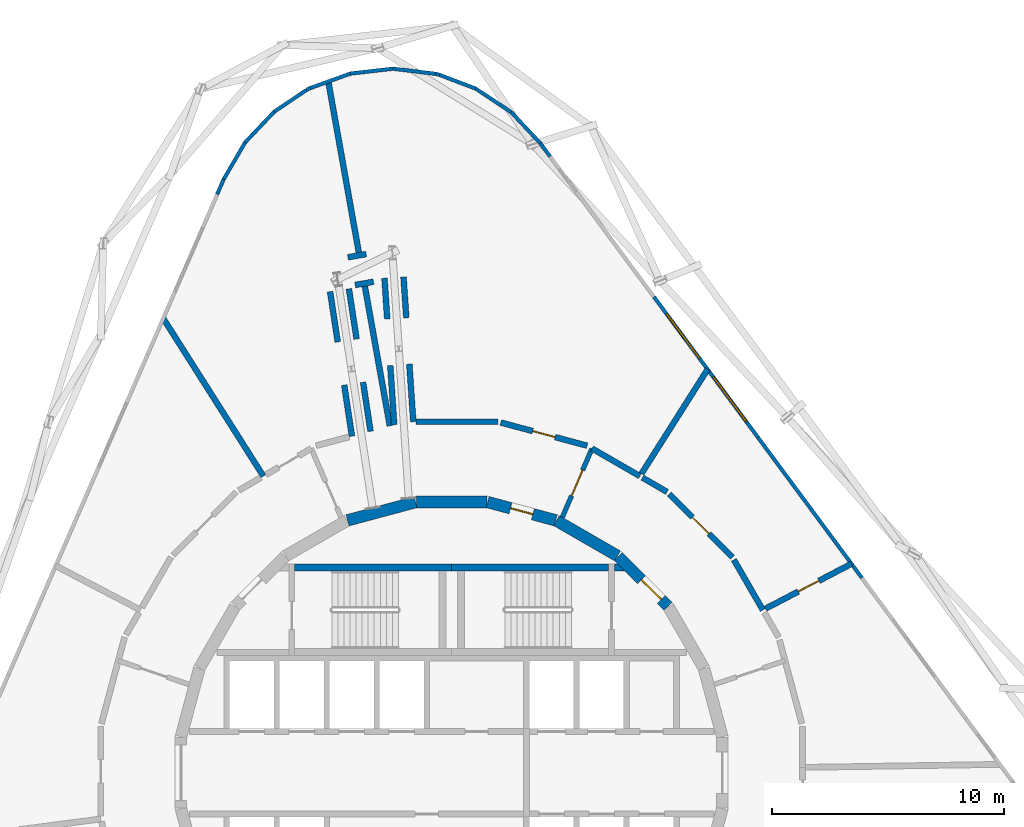
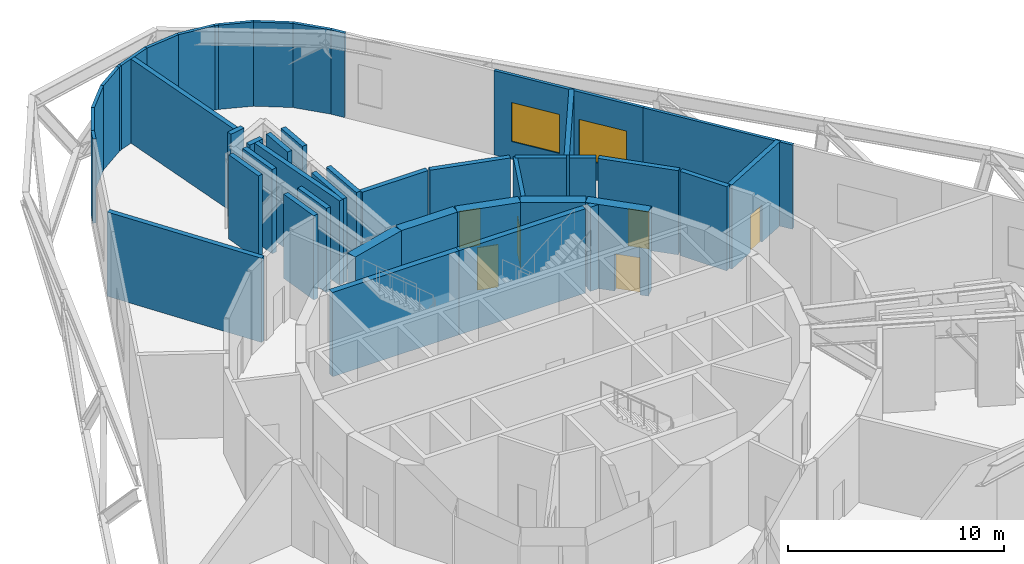
# One storey, part 9 of 11: 45 walls, 6 doors, 2 windows, 8 openings.
"""IFC4 building model written with IfcOpenShell, lengths in metres."""

from ifc_helpers import new_model, si_unit, direction, frame, frame_2d, origin, place, context, subcontext, project, spatial, polyline, rectangle, outline, extrude, material, layer, layer_set, type_object, element, fill, save


model = new_model("IFC4")

# Units and contexts
model_context = context("Model", 3, precision=1e-05, world=origin(), true_north=direction((0.0, 1.0)))
body_context = subcontext(model_context, "Body", "Model", "MODEL_VIEW")
ifc_project = project(units=[si_unit("LENGTHUNIT", "METRE"), si_unit("AREAUNIT", "SQUARE_METRE"), si_unit("VOLUMEUNIT", "CUBIC_METRE"), si_unit("PLANEANGLEUNIT", "RADIAN"), si_unit("MASSUNIT", "GRAM", prefix="KILO")], contexts=[model_context])

# Site, building, storey
site_placement = place(None, origin())
site = spatial("IfcSite", under=ifc_project, at=site_placement, CompositionType="ELEMENT")
building_placement = place(site_placement, origin())
building = spatial("IfcBuilding", under=site, at=building_placement, Name="Spindle Arch Residences", CompositionType="ELEMENT")
storey_placement = place(building_placement, frame((0.0, 0.0, 108.199951171875)))
storey = spatial("IfcBuildingStorey", under=building, at=storey_placement, Name="L26", CompositionType="ELEMENT", Elevation=108.199951171875)

# Wall, opening, door
ifc_material_1 = material(Name="Concrete C50/60", Category="concrete")
ifc_layer_1 = layer(ifc_material_1, 0.5)
ifc_layer_set_1 = layer_set([ifc_layer_1], Name="Core outline wall 500")
wall_type_1 = type_object("IfcWallType", Name="Core outline wall 500", PredefinedType="SHEAR", material=ifc_layer_set_1)
wall_1_placement = place(storey_placement, frame((9.30810546875, 7.163818359375, 0.0), z_axis=(0.0, 0.0, 1.0), x_axis=(-0.707106781187, 0.707106781187, 0.0)))
wall_1 = element("IfcWall", 1, at=wall_1_placement, inside=storey, type_object=wall_type_1, Name="Core outline wall 9", PredefinedType="SHEAR", context=body_context, shape_type="SweptSolid", body=[
    extrude(rectangle(XDim=3.032470703125, YDim=0.5, at=frame_2d((1.51611328125, 0.0))), origin(), (0.0, 0.0, 1.0), 4.75),
])
opening_1_placement = place(wall_1_placement, frame((0.416259765625, 0.0, 0.0)))
opening_1 = element("IfcOpeningElement", 2, at=opening_1_placement, cuts=wall_1, Name="Opening L26-AD01", PredefinedType="OPENING", context=body_context, shape_type="SweptSolid", body=[
    extrude(rectangle(XDim=1.199951171875, YDim=2.10009765625, at=frame_2d((0.60009765625, 1.050048828125))), frame((0.0, 0.260009765625, 0.0), z_axis=(0.0, -1.0, 0.0), x_axis=(1.0, 0.0, 0.0)), (0.0, 0.0, 1.0), 0.52001953125),
])
ifc_material_2 = material(Name="Steel, fire-resisting door", Category="steel")
door_type_1 = type_object("IfcDoorType", Name="Stair airlock door 1200x2100", OperationType="SINGLE_SWING_LEFT", PredefinedType="DOOR", material=ifc_material_2)
door_1_placement = place(opening_1_placement, origin())
door_1 = element("IfcDoor", 3, at=door_1_placement, inside=storey, type_object=door_type_1, Name="Stair airlock door L26-AD01", OperationType="SINGLE_SWING_RIGHT", OverallHeight=2.10009765625, OverallWidth=1.199951171875, PredefinedType="DOOR", context=body_context, shape_type="SweptSolid", body=[
    extrude(rectangle(XDim=1.199951171875, YDim=2.10009765625, at=frame_2d((0.60009765625, 1.050048828125))), frame((0.0, 0.02490234375, 0.0), z_axis=(0.0, -1.0, 0.0), x_axis=(1.0, 0.0, 0.0)), (0.0, 0.0, 1.0), 0.050048828125),
])
fill(opening_1, door_1)

# Wall
wall_2_placement = place(storey_placement, frame((7.13671875, 9.32861328125, 0.0), z_axis=(0.0, 0.0, 1.0), x_axis=(-0.865975092491, 0.500087131594, 0.0)))
element("IfcWall", 4, at=wall_2_placement, inside=storey, type_object=wall_type_1, Name="Core outline wall 10", PredefinedType="SHEAR", context=body_context, shape_type="SweptSolid", body=[
    extrude(rectangle(XDim=3.03271484375, YDim=0.5, at=frame_2d((1.516357421875, 0.0))), origin(), (0.0, 0.0, 1.0), 4.75),
])

# Wall, opening, door
wall_3_placement = place(storey_placement, frame((4.479248046875, 10.858154296875, 0.0), z_axis=(0.0, 0.0, 1.0), x_axis=(-0.965948410781, 0.258734743916, 0.0)))
wall_3 = element("IfcWall", 5, at=wall_3_placement, inside=storey, type_object=wall_type_1, Name="Core outline wall 11", PredefinedType="SHEAR", context=body_context, shape_type="SweptSolid", body=[
    extrude(rectangle(XDim=3.03271484375, YDim=0.5, at=frame_2d((1.516357421875, 0.0))), origin(), (0.0, 0.0, 1.0), 4.75),
])
opening_2_placement = place(wall_3_placement, frame((1.01611328125, 0.0, 0.0)))
opening_2 = element("IfcOpeningElement", 6, at=opening_2_placement, cuts=wall_3, Name="Opening L26-PD09", PredefinedType="OPENING", context=body_context, shape_type="SweptSolid", body=[
    extrude(rectangle(XDim=1.0, YDim=2.39990234375, at=frame_2d((0.5, 1.199951171875))), frame((0.0, 0.260009765625, 0.0), z_axis=(0.0, -1.0, 0.0), x_axis=(1.0, 0.0, 0.0)), (0.0, 0.0, 1.0), 0.52001953125),
])
ifc_material_3 = material(Name="Steel, fire-resisting door", Category="steel")
door_type_2 = type_object("IfcDoorType", Name="Plant room door 1000x2400", OperationType="SINGLE_SWING_LEFT", PredefinedType="DOOR", material=ifc_material_3)
door_2_placement = place(opening_2_placement, origin())
door_2 = element("IfcDoor", 7, at=door_2_placement, inside=storey, type_object=door_type_2, Name="Plant room door L26-PD09", OperationType="SINGLE_SWING_RIGHT", OverallHeight=2.39990234375, OverallWidth=1.0, PredefinedType="DOOR", context=body_context, shape_type="SweptSolid", body=[
    extrude(rectangle(XDim=1.0, YDim=2.39990234375, at=frame_2d((0.5, 1.199951171875))), frame((0.0, 0.02490234375, 0.0), z_axis=(0.0, -1.0, 0.0), x_axis=(1.0, 0.0, 0.0)), (0.0, 0.0, 1.0), 0.050048828125),
])
fill(opening_2, door_2)

# Walls
for number, where, z_axis, x_axis, name in (
    (8, (1.516357421875, 11.647216796875, 0.0), (0.0, 0.0, 1.0), (-1.0, 0.0, 0.0), "Core outline wall 12"),
    (9, (-1.5498046875, 11.642822265625, 0.0), (0.0, 0.0, 1.0), (-0.965948410781, -0.258734743916, 0.0), "Core outline wall 13"),
):
    element("IfcWall", number, at=place(storey_placement, frame(where, z_axis=z_axis, x_axis=x_axis)), inside=storey, type_object=wall_type_1, Name=name, PredefinedType="SHEAR", context=body_context, shape_type="SweptSolid", body=[
        extrude(rectangle(XDim=3.03271484375, YDim=0.5, at=frame_2d((1.516357421875, 0.0))), origin(), (0.0, 0.0, 1.0), 4.75),
    ])
ifc_material_4 = material(Name="Non-combustible mineral wool insulated aluminium faced external wall (K0)", Category="aluminium")
ifc_layer_2 = layer(ifc_material_4, 0.159912109375)
ifc_layer_set_2 = layer_set([ifc_layer_2], Name="Insulated external wall panel 160")
wall_type_2 = type_object("IfcWallType", Name="Insulated external wall panel 160", PredefinedType="STANDARD", material=ifc_layer_set_2)
wall_4_placement = place(storey_placement, frame((17.652099609375, 8.38525390625, 0.0), z_axis=(0.0, 0.0, 1.0), x_axis=(-0.594833773541, 0.803848730704, 0.0)))
element("IfcWall", 10, at=wall_4_placement, inside=storey, type_object=wall_type_2, Name="Plant wall L26 bay 8", PredefinedType="STANDARD", context=body_context, shape_type="SweptSolid", body=[
    extrude(rectangle(XDim=7.518798828125, YDim=0.159912109375, at=frame_2d((3.75927734375, 0.0))), origin(), (0.0, 0.0, 1.0), 4.75),
])

# Wall, openings, windows
wall_5_placement = place(storey_placement, frame((13.1796875, 14.42919921875, 0.0), z_axis=(0.0, 0.0, 1.0), x_axis=(-0.594797265235, 0.803875744919, 0.0)))
wall_5 = element("IfcWall", 11, at=wall_5_placement, inside=storey, type_object=wall_type_2, Name="Plant wall L26 bay 9", PredefinedType="STANDARD", context=body_context, shape_type="SweptSolid", body=[
    extrude(rectangle(XDim=7.518798828125, YDim=0.159912109375, at=frame_2d((3.75927734375, 0.0))), origin(), (0.0, 0.0, 1.0), 4.75),
])
opening_3_placement = place(wall_5_placement, frame((0.8349609375, 0.0, 1.0)))
opening_3 = element("IfcOpeningElement", 12, at=opening_3_placement, cuts=wall_5, Name="Opening LW2", PredefinedType="OPENING", context=body_context, shape_type="SweptSolid", body=[
    extrude(rectangle(XDim=2.39990234375, YDim=2.199951171875, at=frame_2d((1.199951171875, 1.10009765625))), frame((0.0, 0.08984375, 0.0), z_axis=(0.0, -1.0, 0.0), x_axis=(1.0, 0.0, 0.0)), (0.0, 0.0, 1.0), 0.179931640625),
])
opening_4_placement = place(wall_5_placement, frame((4.219482421875, 0.0, 1.0)))
opening_4 = element("IfcOpeningElement", 13, at=opening_4_placement, cuts=wall_5, Name="Opening LW2", PredefinedType="OPENING", context=body_context, shape_type="SweptSolid", body=[
    extrude(rectangle(XDim=2.39990234375, YDim=2.199951171875, at=frame_2d((1.199951171875, 1.10009765625))), frame((0.0, 0.08984375, 0.0), z_axis=(0.0, -1.0, 0.0), x_axis=(1.0, 0.0, 0.0)), (0.0, 0.0, 1.0), 0.179931640625),
])
ifc_material_5 = material(Name="Bronze anodised aluminium fixed louvre", Category="aluminium")
window_type = type_object("IfcWindowType", Name="Plant louvre opening 2400x2200", PartitioningType="SINGLE_PANEL", PredefinedType="WINDOW", material=ifc_material_5)
window_1_placement = place(opening_3_placement, origin())
window_1 = element("IfcWindow", 14, at=window_1_placement, inside=storey, type_object=window_type, Name="Louvre opening L26 bay 9.1", OverallHeight=2.199951171875, OverallWidth=2.39990234375, PartitioningType="SINGLE_PANEL", PredefinedType="WINDOW", context=body_context, shape_type="SweptSolid", body=[
    extrude(rectangle(XDim=2.39990234375, YDim=2.199951171875, at=frame_2d((1.199951171875, 1.10009765625))), frame((0.0, 0.030029296875, 0.0), z_axis=(0.0, -1.0, 0.0), x_axis=(1.0, 0.0, 0.0)), (0.0, 0.0, 1.0), 0.06005859375),
])
fill(opening_3, window_1)
window_2_placement = place(opening_4_placement, origin())
window_2 = element("IfcWindow", 15, at=window_2_placement, inside=storey, type_object=window_type, Name="Louvre opening L26 bay 9.2", OverallHeight=2.199951171875, OverallWidth=2.39990234375, PartitioningType="SINGLE_PANEL", PredefinedType="WINDOW", context=body_context, shape_type="SweptSolid", body=[
    extrude(rectangle(XDim=2.39990234375, YDim=2.199951171875, at=frame_2d((1.199951171875, 1.10009765625))), frame((0.0, 0.030029296875, 0.0), z_axis=(0.0, -1.0, 0.0), x_axis=(1.0, 0.0, 0.0)), (0.0, 0.0, 1.0), 0.06005859375),
])
fill(opening_4, window_2)

# Walls
wall_6_placement = place(storey_placement, frame((4.235107421875, 26.517333984375, 0.0), z_axis=(0.0, 0.0, 1.0), x_axis=(-0.594771293471, 0.803894961088, 0.0)))
element("IfcWall", 16, at=wall_6_placement, inside=storey, type_object=wall_type_2, Name="Plant wall L26 bay 11.1", PredefinedType="STANDARD", context=body_context, shape_type="SweptSolid", body=[
    extrude(rectangle(XDim=0.703857421875, YDim=0.159912109375, at=frame_2d((0.35205078125, 0.0))), origin(), (0.0, 0.0, 1.0), 4.75),
])
wall_7_placement = place(storey_placement, frame((3.8193359375, 27.07958984375, 0.0), z_axis=(0.0, 0.0, 1.0), x_axis=(-0.684130270413, 0.729359837875, 0.0)))
element("IfcWall", 17, at=wall_7_placement, inside=storey, type_object=wall_type_2, Name="Plant wall L26 bay 11.2", PredefinedType="STANDARD", context=body_context, shape_type="SweptSolid", body=[
    extrude(rectangle(XDim=1.845947265625, YDim=0.159912109375, at=frame_2d((0.9228515625, 0.0))), origin(), (0.0, 0.0, 1.0), 4.75),
])
wall_8_placement = place(storey_placement, frame((2.563720703125, 28.419921875, 0.0), z_axis=(0.0, 0.0, 1.0), x_axis=(-0.833874978311, 0.55195336809, 0.0)))
element("IfcWall", 18, at=wall_8_placement, inside=storey, type_object=wall_type_2, Name="Plant wall L26 bay 11.3", PredefinedType="STANDARD", context=body_context, shape_type="SweptSolid", body=[
    extrude(rectangle(XDim=1.847900390625, YDim=0.159912109375, at=frame_2d((0.923828125, 0.0))), origin(), (0.0, 0.0, 1.0), 4.75),
])
wall_9_placement = place(storey_placement, frame((1.030517578125, 29.435791015625, 0.0), z_axis=(0.0, 0.0, 1.0), x_axis=(-0.934627342033, 0.355628642723, 0.0)))
element("IfcWall", 19, at=wall_9_placement, inside=storey, type_object=wall_type_2, Name="Plant wall L26 bay 11.4", PredefinedType="STANDARD", context=body_context, shape_type="SweptSolid", body=[
    extrude(rectangle(XDim=1.661376953125, YDim=0.159912109375, at=frame_2d((0.83056640625, 0.0))), origin(), (0.0, 0.0, 1.0), 4.75),
])
wall_10_placement = place(storey_placement, frame((-0.522216796875, 30.026611328125, 0.0), z_axis=(0.0, 0.0, 1.0), x_axis=(-0.969676988372, 0.244390135281, 0.0)))
element("IfcWall", 20, at=wall_10_placement, inside=storey, type_object=wall_type_2, Name="Plant wall L26 bay 12.1", PredefinedType="STANDARD", context=body_context, shape_type="SweptSolid", body=[
    extrude(rectangle(XDim=0.185791015625, YDim=0.159912109375, at=frame_2d((0.0927734375, 0.0))), origin(), (0.0, 0.0, 1.0), 4.75),
])
wall_11_placement = place(storey_placement, frame((-0.697265625, 30.0712890625, 0.0), z_axis=(0.0, 0.0, 1.0), x_axis=(-0.992909337367, 0.118874083672, 0.0)))
element("IfcWall", 21, at=wall_11_placement, inside=storey, type_object=wall_type_2, Name="Plant wall L26 bay 12.2", PredefinedType="STANDARD", context=body_context, shape_type="SweptSolid", body=[
    extrude(rectangle(XDim=1.846435546875, YDim=0.159912109375, at=frame_2d((0.92333984375, 0.0))), origin(), (0.0, 0.0, 1.0), 4.75),
])
wall_12_placement = place(storey_placement, frame((-2.52099609375, 30.290771484375, 0.0), z_axis=(0.0, 0.0, 1.0), x_axis=(-0.99357220697, -0.113200130467, 0.0)))
element("IfcWall", 22, at=wall_12_placement, inside=storey, type_object=wall_type_2, Name="Plant wall L26 bay 12.3", PredefinedType="STANDARD", context=body_context, shape_type="SweptSolid", body=[
    extrude(rectangle(XDim=1.848388671875, YDim=0.159912109375, at=frame_2d((0.92431640625, 0.0))), origin(), (0.0, 0.0, 1.0), 4.75),
])
wall_13_placement = place(storey_placement, frame((-4.348388671875, 30.083740234375, 0.0), z_axis=(0.0, 0.0, 1.0), x_axis=(-0.940678213267, -0.339300013388, 0.0)))
element("IfcWall", 23, at=wall_13_placement, inside=storey, type_object=wall_type_2, Name="Plant wall L26 bay 12.4", PredefinedType="STANDARD", context=body_context, shape_type="SweptSolid", body=[
    extrude(rectangle(XDim=1.846435546875, YDim=0.159912109375, at=frame_2d((0.92333984375, 0.0))), origin(), (0.0, 0.0, 1.0), 4.75),
])
wall_14_placement = place(storey_placement, frame((-6.080322265625, 29.45947265625, 0.0), z_axis=(0.0, 0.0, 1.0), x_axis=(-0.889653469116, -0.456636293882, 0.0)))
element("IfcWall", 24, at=wall_14_placement, inside=storey, type_object=wall_type_2, Name="Plant wall L26 bay 12.5", PredefinedType="STANDARD", context=body_context, shape_type="SweptSolid", body=[
    extrude(rectangle(XDim=0.18603515625, YDim=0.159912109375, at=frame_2d((0.093017578125, 0.0))), origin(), (0.0, 0.0, 1.0), 4.75),
])
wall_15_placement = place(storey_placement, frame((-6.245849609375, 29.37451171875, 0.0), z_axis=(0.0, 0.0, 1.0), x_axis=(-0.830691132327, -0.556733547285, 0.0)))
element("IfcWall", 25, at=wall_15_placement, inside=storey, type_object=wall_type_2, Name="Plant wall L26 bay 13.1", PredefinedType="STANDARD", context=body_context, shape_type="SweptSolid", body=[
    extrude(rectangle(XDim=1.6611328125, YDim=0.159912109375, at=frame_2d((0.83056640625, 0.0))), origin(), (0.0, 0.0, 1.0), 4.75),
])
wall_16_placement = place(storey_placement, frame((-7.618896484375, 28.455322265625, 0.0), z_axis=(0.0, 0.0, 1.0), x_axis=(-0.688436911681, -0.725296228196, 0.0)))
element("IfcWall", 26, at=wall_16_placement, inside=storey, type_object=wall_type_2, Name="Plant wall L26 bay 13.2", PredefinedType="STANDARD", context=body_context, shape_type="SweptSolid", body=[
    extrude(rectangle(XDim=1.847900390625, YDim=0.159912109375, at=frame_2d((0.923828125, 0.0))), origin(), (0.0, 0.0, 1.0), 4.75),
])
wall_17_placement = place(storey_placement, frame((-8.885498046875, 27.122314453125, 0.0), z_axis=(0.0, 0.0, 1.0), x_axis=(-0.502464129555, -0.864598056041, 0.0)))
element("IfcWall", 27, at=wall_17_placement, inside=storey, type_object=wall_type_2, Name="Plant wall L26 bay 13.3", PredefinedType="STANDARD", context=body_context, shape_type="SweptSolid", body=[
    extrude(rectangle(XDim=1.845947265625, YDim=0.159912109375, at=frame_2d((0.9228515625, 0.0))), origin(), (0.0, 0.0, 1.0), 4.75),
])
wall_18_placement = place(storey_placement, frame((-9.81103515625, 25.530517578125, 0.0), z_axis=(0.0, 0.0, 1.0), x_axis=(-0.398561214502, -0.917141732937, 0.0)))
element("IfcWall", 28, at=wall_18_placement, inside=storey, type_object=wall_type_2, Name="Plant wall L26 bay 13.4", PredefinedType="STANDARD", context=body_context, shape_type="SweptSolid", body=[
    extrude(rectangle(XDim=0.703857421875, YDim=0.159912109375, at=frame_2d((0.35205078125, 0.0))), origin(), (0.0, 0.0, 1.0), 4.75),
])
ifc_material_6 = material(Name="Concrete C25/30 wall", Category="concrete")
ifc_layer_3 = layer(ifc_material_6, 0.25)
ifc_layer_set_3 = layer_set([ifc_layer_3], Name="Partition EI 120 250 plant")
wall_type_3 = type_object("IfcWallType", Name="Partition EI 120 250 plant", PredefinedType="PARTITIONING", material=ifc_layer_set_3)
wall_19_placement = place(storey_placement, frame((-5.22998046875, 20.699951171875, 0.0), z_axis=(0.0, 0.0, 1.0), x_axis=(0.150385276272, -0.988627467088, 0.0)))
element("IfcWall", 29, at=wall_19_placement, inside=storey, type_object=wall_type_3, Name="L26-W030", PredefinedType="PARTITIONING", context=body_context, shape_type="SweptSolid", body=[
    extrude(rectangle(XDim=2.19482421875, YDim=0.25, at=frame_2d((1.097412109375, 0.0))), origin(), (0.0, 0.0, 1.0), 4.75),
])
wall_20_placement = place(storey_placement, frame((-4.6201171875, 16.679931640625, 0.0), z_axis=(0.0, 0.0, 1.0), x_axis=(0.148378019052, -0.98893071722, 0.0)))
element("IfcWall", 30, at=wall_20_placement, inside=storey, type_object=wall_type_3, Name="L26-W033", PredefinedType="PARTITIONING", context=body_context, shape_type="SweptSolid", body=[
    extrude(rectangle(XDim=2.224609375, YDim=0.25, at=frame_2d((1.1123046875, 0.0))), origin(), (0.0, 0.0, 1.0), 4.75),
])
wall_21_placement = place(storey_placement, frame((-4.090087890625, 18.659912109375, 0.0), z_axis=(0.0, 0.0, 1.0), x_axis=(-0.150940482968, 0.988542852183, 0.0)))
element("IfcWall", 31, at=wall_21_placement, inside=storey, type_object=wall_type_3, Name="L26-W035", PredefinedType="PARTITIONING", context=body_context, shape_type="SweptSolid", body=[
    extrude(rectangle(XDim=2.185302734375, YDim=0.25, at=frame_2d((1.0927734375, 0.0))), origin(), (0.0, 0.0, 1.0), 4.75),
])
wall_22_placement = place(storey_placement, frame((-3.489990234375, 14.68994140625, 0.0), z_axis=(0.0, 0.0, 1.0), x_axis=(-0.149968031865, 0.98869084623, 0.0)))
element("IfcWall", 32, at=wall_22_placement, inside=storey, type_object=wall_type_3, Name="L26-W037", PredefinedType="PARTITIONING", context=body_context, shape_type="SweptSolid", body=[
    extrude(rectangle(XDim=2.13427734375, YDim=0.25, at=frame_2d((1.067138671875, 0.0))), origin(), (0.0, 0.0, 1.0), 4.75),
])
ifc_material_7 = material(Name="Concrete C25/30 wall", Category="concrete")
ifc_layer_4 = layer(ifc_material_7, 0.25)
ifc_layer_set_4 = layer_set([ifc_layer_4], Name="Partition EI 150 250 electrical")
wall_type_4 = type_object("IfcWallType", Name="Partition EI 150 250 electrical", PredefinedType="PARTITIONING", material=ifc_layer_set_4)
wall_23_placement = place(storey_placement, frame((-3.993896484375, 22.38623046875, 0.0), z_axis=(0.0, 0.0, 1.0), x_axis=(-0.17561193624, 0.984459469887, 0.0)))
element("IfcWall", 33, at=wall_23_placement, inside=storey, type_object=wall_type_4, Name="L26-W036", PredefinedType="PARTITIONING", context=body_context, shape_type="SweptSolid", body=[
    extrude(rectangle(XDim=7.47119140625, YDim=0.25, at=frame_2d((3.735595703125, 0.0))), origin(), (0.0, 0.0, 1.0), 4.75),
])
wall_24_placement = place(storey_placement, frame((-2.889404296875, 21.277587890625, 0.0), z_axis=(0.0, 0.0, 1.0), x_axis=(0.067769937047, -0.997700975058, 0.0)))
element("IfcWall", 34, at=wall_24_placement, inside=storey, type_object=wall_type_4, Name="L26-W038", PredefinedType="PARTITIONING", context=body_context, shape_type="SweptSolid", body=[
    extrude(rectangle(XDim=1.76171875, YDim=0.25, at=frame_2d((0.880859375, 0.0))), origin(), (0.0, 0.0, 1.0), 4.75),
])
wall_25_placement = place(storey_placement, frame((-2.659912109375, 14.919921875, 0.0), z_axis=(0.0, 0.0, 1.0), x_axis=(-0.175922099098, 0.984404091341, 0.0)))
element("IfcWall", 35, at=wall_25_placement, inside=storey, type_object=wall_type_4, Name="L26-W039", PredefinedType="PARTITIONING", context=body_context, shape_type="SweptSolid", body=[
    extrude(rectangle(XDim=6.106201171875, YDim=0.25, at=frame_2d((3.05322265625, 0.0))), origin(), (0.0, 0.0, 1.0), 4.75),
])
wall_26_placement = place(storey_placement, frame((-2.639892578125, 17.52001953125, 0.0), z_axis=(0.0, 0.0, 1.0), x_axis=(0.066487308806, -0.997787270799, 0.0)))
element("IfcWall", 36, at=wall_26_placement, inside=storey, type_object=wall_type_4, Name="L26-W040", PredefinedType="PARTITIONING", context=body_context, shape_type="SweptSolid", body=[
    extrude(rectangle(XDim=2.5556640625, YDim=0.25, at=frame_2d((1.27783203125, 0.0))), origin(), (0.0, 0.0, 1.0), 4.75),
])
wall_27_placement = place(storey_placement, frame((-1.949951171875, 19.570068359375, 0.0), z_axis=(0.0, 0.0, 1.0), x_axis=(-0.068455615556, 0.997654162873, 0.0)))
element("IfcWall", 37, at=wall_27_placement, inside=storey, type_object=wall_type_4, Name="L26-W042", PredefinedType="PARTITIONING", context=body_context, shape_type="SweptSolid", body=[
    extrude(rectangle(XDim=1.765380859375, YDim=0.25, at=frame_2d((0.8828125, 0.0))), origin(), (0.0, 0.0, 1.0), 4.75),
])
wall_28_placement = place(storey_placement, frame((-1.64990234375, 15.10009765625, 0.0), z_axis=(0.0, 0.0, 1.0), x_axis=(-0.06845491093, 0.997654211222, 0.0)))
element("IfcWall", 38, at=wall_28_placement, inside=storey, type_object=wall_type_4, Name="L26-W043", PredefinedType="PARTITIONING", context=body_context, shape_type="SweptSolid", body=[
    extrude(rectangle(XDim=2.48583984375, YDim=0.25, at=frame_2d((1.242919921875, 0.0))), origin(), (0.0, 0.0, 1.0), 4.75),
])
wall_29_placement = place(storey_placement, frame((1.989990234375, 15.10009765625, 0.0), z_axis=(0.0, 0.0, 1.0), x_axis=(-1.0, 0.0, 0.0)))
element("IfcWall", 39, at=wall_29_placement, inside=storey, type_object=wall_type_4, Name="L26-W045", PredefinedType="PARTITIONING", context=body_context, shape_type="SweptSolid", body=[
    extrude(rectangle(XDim=3.514892578125, YDim=0.25, at=frame_2d((1.75732421875, 0.0))), origin(), (0.0, 0.0, 1.0), 4.75),
])

# Wall, opening, door
wall_30_placement = place(storey_placement, frame((5.830078125, 14.070068359375, 0.0), z_axis=(0.0, 0.0, 1.0), x_axis=(-0.965861411942, 0.259059323171, 0.0)))
wall_30 = element("IfcWall", 40, at=wall_30_placement, inside=storey, type_object=wall_type_4, Name="L26-W051", PredefinedType="PARTITIONING", context=body_context, shape_type="SweptSolid", body=[
    extrude(rectangle(XDim=3.8505859375, YDim=0.25, at=frame_2d((1.92529296875, 0.0))), origin(), (0.0, 0.0, 1.0), 4.75),
])
opening_5_placement = place(wall_30_placement, frame((1.42529296875, 0.0, 0.0)))
opening_5 = element("IfcOpeningElement", 41, at=opening_5_placement, cuts=wall_30, Name="Opening L26-D12", PredefinedType="OPENING", context=body_context, shape_type="SweptSolid", body=[
    extrude(rectangle(XDim=1.0, YDim=2.10009765625, at=frame_2d((0.5, 1.050048828125))), frame((0.0, 0.135009765625, 0.0), z_axis=(0.0, -1.0, 0.0), x_axis=(1.0, 0.0, 0.0)), (0.0, 0.0, 1.0), 0.27001953125),
])
ifc_material_8 = material(Name="Steel door leaf, painted", Category="steel")
door_type_3 = type_object("IfcDoorType", Name="Door 1000x2100 EI 60", OperationType="SINGLE_SWING_LEFT", PredefinedType="DOOR", material=ifc_material_8)
door_3_placement = place(opening_5_placement, origin())
door_3 = element("IfcDoor", 42, at=door_3_placement, inside=storey, type_object=door_type_3, Name="L26-D12", OperationType="SINGLE_SWING_LEFT", OverallHeight=2.10009765625, OverallWidth=1.0, PredefinedType="DOOR", context=body_context, shape_type="SweptSolid", body=[
    extrude(rectangle(XDim=1.0, YDim=2.10009765625, at=frame_2d((0.5, 1.050048828125))), frame((0.0, 0.02490234375, 0.0), z_axis=(0.0, -1.0, 0.0), x_axis=(1.0, 0.0, 0.0)), (0.0, 0.0, 1.0), 0.050048828125),
])
fill(opening_5, door_3)

# Walls
wall_31_placement = place(storey_placement, frame((6.0400390625, 13.949951171875, 0.0), z_axis=(0.0, 0.0, 1.0), x_axis=(0.865922362496, -0.500178430292, 0.0)))
element("IfcWall", 43, at=wall_31_placement, inside=storey, type_object=wall_type_4, Name="L26-W052", PredefinedType="PARTITIONING", context=body_context, shape_type="SweptSolid", body=[
    extrude(rectangle(XDim=2.379150390625, YDim=0.25, at=frame_2d((1.189453125, 0.0))), origin(), (0.0, 0.0, 1.0), 4.75),
])
wall_32_placement = place(storey_placement, frame((8.1669921875, 12.865478515625, 0.0), z_axis=(0.0, 0.0, 1.0), x_axis=(0.535313877542, 0.84465321435, 0.0)))
element("IfcWall", 44, at=wall_32_placement, inside=storey, type_object=wall_type_4, Name="L26-W053", PredefinedType="PARTITIONING", context=body_context, shape_type="SweptSolid", body=[
    extrude(rectangle(XDim=5.32421875, YDim=0.25, at=frame_2d((2.662109375, 0.0))), origin(), (0.0, 0.0, 1.0), 4.75),
])
for number, where, z_axis, x_axis, name in (
    (45, (-4.464111328125, 22.17529296875, 0.0), (0.0, 0.0, 1.0), (0.984484107658, 0.175473763764, 0.0), "L26-W080"),
    (46, (-3.3623046875, 21.124267578125, 0.0), (0.0, 0.0, 1.0), (-0.984431347289, -0.175769515201, 0.0), "L26-W081"),
):
    element("IfcWall", number, at=place(storey_placement, frame(where, z_axis=z_axis, x_axis=x_axis)), inside=storey, type_object=wall_type_4, Name=name, PredefinedType="PARTITIONING", context=body_context, shape_type="SweptSolid", body=[
        extrude(rectangle(XDim=0.800048828125, YDim=0.25, at=frame_2d((0.39990234375, 0.0))), origin(), (0.0, 0.0, 1.0), 4.75),
    ])

# Wall, opening, door
ifc_material_9 = material(Name="Gypsum board partition on steel studs", Category="steel")
ifc_layer_5 = layer(ifc_material_9, 0.199951171875)
ifc_layer_set_5 = layer_set([ifc_layer_5], Name="Partition EI 60 200 amenity")
wall_type_5 = type_object("IfcWallType", Name="Partition EI 60 200 amenity", PredefinedType="PARTITIONING", material=ifc_layer_set_5)
wall_33_placement = place(storey_placement, frame((4.760009765625, 10.989990234375, 0.0), z_axis=(0.0, 0.0, 1.0), x_axis=(0.396905977672, 0.917859272922, 0.0)))
wall_33 = element("IfcWall", 47, at=wall_33_placement, inside=storey, type_object=wall_type_5, Name="L26-W049", PredefinedType="PARTITIONING", context=body_context, shape_type="SweptSolid", body=[
    extrude(rectangle(XDim=3.223876953125, YDim=0.199951171875, at=frame_2d((1.61181640625, 0.0))), origin(), (0.0, 0.0, 1.0), 4.75),
])
opening_6_placement = place(wall_33_placement, frame((1.011962890625, 0.0, 0.0)))
opening_6 = element("IfcOpeningElement", 48, at=opening_6_placement, cuts=wall_33, Name="Opening L26-D17", PredefinedType="OPENING", context=body_context, shape_type="SweptSolid", body=[
    extrude(rectangle(XDim=1.199951171875, YDim=2.10009765625, at=frame_2d((0.60009765625, 1.050048828125))), frame((0.0, 0.10986328125, 0.0), z_axis=(0.0, -1.0, 0.0), x_axis=(1.0, 0.0, 0.0)), (0.0, 0.0, 1.0), 0.219970703125),
])
ifc_material_10 = material(Name="Steel door leaf, painted", Category="steel")
door_type_4 = type_object("IfcDoorType", Name="Door 1200x2100 EI 60", OperationType="SINGLE_SWING_LEFT", PredefinedType="DOOR", material=ifc_material_10)
door_4_placement = place(opening_6_placement, origin())
door_4 = element("IfcDoor", 49, at=door_4_placement, inside=storey, type_object=door_type_4, Name="L26-D17", OperationType="SINGLE_SWING_LEFT", OverallHeight=2.10009765625, OverallWidth=1.199951171875, PredefinedType="DOOR", context=body_context, shape_type="SweptSolid", body=[
    extrude(rectangle(XDim=1.199951171875, YDim=2.10009765625, at=frame_2d((0.60009765625, 1.050048828125))), frame((0.0, 0.02490234375, 0.0), z_axis=(0.0, -1.0, 0.0), x_axis=(1.0, 0.0, 0.0)), (0.0, 0.0, 1.0), 0.050048828125),
])
fill(opening_6, door_4)

# Walls
ifc_material_11 = material(Name="Concrete C25/30 wall", Category="concrete")
ifc_layer_6 = layer(ifc_material_11, 0.25)
ifc_layer_set_6 = layer_set([ifc_layer_6], Name="Partition REI 120 250 refuge")
wall_type_6 = type_object("IfcWallType", Name="Partition REI 120 250 refuge", PredefinedType="PARTITIONING", material=ifc_layer_set_6)
wall_34_placement = place(storey_placement, frame((-8.10009765625, 12.760009765625, 0.0), z_axis=(0.0, 0.0, 1.0), x_axis=(-0.535839810612, 0.844319665389, 0.0)))
element("IfcWall", 50, at=wall_34_placement, inside=storey, type_object=wall_type_6, Name="L26-W023", PredefinedType="PARTITIONING", context=body_context, shape_type="SweptSolid", body=[
    extrude(rectangle(XDim=8.056884765625, YDim=0.25, at=frame_2d((4.0283203125, 0.0))), origin(), (0.0, 0.0, 1.0), 4.75),
])
wall_35_placement = place(storey_placement, frame((9.27001953125, 12.080078125, 0.0), z_axis=(0.0, 0.0, 1.0), x_axis=(-0.864599561852, 0.502461538474, 0.0)))
element("IfcWall", 51, at=wall_35_placement, inside=storey, type_object=wall_type_6, Name="L26-W056", PredefinedType="PARTITIONING", context=body_context, shape_type="SweptSolid", body=[
    extrude(rectangle(XDim=1.228271484375, YDim=0.25, at=frame_2d((0.6142578125, 0.0))), origin(), (0.0, 0.0, 1.0), 4.75),
])

# Wall, opening, door
wall_36_placement = place(storey_placement, frame((12.080078125, 9.27001953125, 0.0), z_axis=(0.0, 0.0, 1.0), x_axis=(-0.707106781187, 0.707106781187, 0.0)))
wall_36 = element("IfcWall", 52, at=wall_36_placement, inside=storey, type_object=wall_type_6, Name="L26-W058", PredefinedType="PARTITIONING", context=body_context, shape_type="SweptSolid", body=[
    extrude(rectangle(XDim=3.84912109375, YDim=0.25, at=frame_2d((1.924560546875, 0.0))), origin(), (0.0, 0.0, 1.0), 4.75),
])
opening_7_placement = place(wall_36_placement, frame((1.424560546875, 0.0, 0.0)))
opening_7 = element("IfcOpeningElement", 53, at=opening_7_placement, cuts=wall_36, Name="Opening L26-D09", PredefinedType="OPENING", context=body_context, shape_type="SweptSolid", body=[
    extrude(rectangle(XDim=1.0, YDim=2.10009765625, at=frame_2d((0.5, 1.050048828125))), frame((0.0, 0.135009765625, 0.0), z_axis=(0.0, -1.0, 0.0), x_axis=(1.0, 0.0, 0.0)), (0.0, 0.0, 1.0), 0.27001953125),
])
door_5_placement = place(opening_7_placement, origin())
door_5 = element("IfcDoor", 54, at=door_5_placement, inside=storey, type_object=door_type_3, Name="L26-D09", OperationType="SINGLE_SWING_LEFT", OverallHeight=2.10009765625, OverallWidth=1.0, PredefinedType="DOOR", context=body_context, shape_type="SweptSolid", body=[
    extrude(rectangle(XDim=1.0, YDim=2.10009765625, at=frame_2d((0.5, 1.050048828125))), frame((0.0, 0.02490234375, 0.0), z_axis=(0.0, -1.0, 0.0), x_axis=(1.0, 0.0, 0.0)), (0.0, 0.0, 1.0), 0.050048828125),
])
fill(opening_7, door_5)

# Wall
wall_37_placement = place(storey_placement, frame((13.389892578125, 7.0, 0.0), z_axis=(0.0, 0.0, 1.0), x_axis=(-0.499790202325, 0.86614649665, 0.0)))
element("IfcWall", 55, at=wall_37_placement, inside=storey, type_object=wall_type_6, Name="L26-W059", PredefinedType="PARTITIONING", context=body_context, shape_type="SweptSolid", body=[
    extrude(rectangle(XDim=2.49560546875, YDim=0.25, at=frame_2d((1.247802734375, 0.0))), origin(), (0.0, 0.0, 1.0), 4.75),
])

# Wall, opening, door
wall_38_placement = place(storey_placement, frame((17.208984375, 8.992919921875, 0.0), z_axis=(0.0, 0.0, 1.0), x_axis=(-0.886553621963, -0.462625848158, 0.0)))
wall_38 = element("IfcWall", 56, at=wall_38_placement, inside=storey, type_object=wall_type_6, Name="L26-W072", PredefinedType="PARTITIONING", context=body_context, shape_type="SweptSolid", body=[
    extrude(rectangle(XDim=4.182861328125, YDim=0.25, at=frame_2d((2.09130859375, 0.0))), origin(), (0.0, 0.0, 1.0), 4.75),
])
opening_8_placement = place(wall_38_placement, frame((1.59130859375, 0.0, 0.0)))
opening_8 = element("IfcOpeningElement", 57, at=opening_8_placement, cuts=wall_38, Name="Opening L26-D08", PredefinedType="OPENING", context=body_context, shape_type="SweptSolid", body=[
    extrude(rectangle(XDim=1.0, YDim=2.10009765625, at=frame_2d((0.5, 1.050048828125))), frame((0.0, 0.135009765625, 0.0), z_axis=(0.0, -1.0, 0.0), x_axis=(1.0, 0.0, 0.0)), (0.0, 0.0, 1.0), 0.27001953125),
])
door_6_placement = place(opening_8_placement, origin())
door_6 = element("IfcDoor", 58, at=door_6_placement, inside=storey, type_object=door_type_3, Name="L26-D08", OperationType="SINGLE_SWING_LEFT", OverallHeight=2.10009765625, OverallWidth=1.0, PredefinedType="DOOR", context=body_context, shape_type="SweptSolid", body=[
    extrude(rectangle(XDim=1.0, YDim=2.10009765625, at=frame_2d((0.5, 1.050048828125))), frame((0.0, 0.02490234375, 0.0), z_axis=(0.0, -1.0, 0.0), x_axis=(1.0, 0.0, 0.0)), (0.0, 0.0, 1.0), 0.050048828125),
])
fill(opening_8, door_6)

# Walls
ifc_material_12 = material(Name="Concrete C40/50", Category="concrete")
wall_type_7 = type_object("IfcWallType", Name="Stair airlock wall profile", PredefinedType="SHEAR", material=ifc_material_12)
wall_39_placement = place(storey_placement, origin())
element("IfcWall", 59, at=wall_39_placement, inside=storey, type_object=wall_type_7, Name="Stair ST-1 airlock wall N", PredefinedType="SHEAR", context=body_context, shape_type="SweptSolid", body=[
    extrude(outline(polyline([(7.4482421875, 8.669921875), (7.0, 8.669921875), (7.0, 8.969970703125), (7.148193359375, 8.969970703125), (7.4482421875, 8.669921875)])), origin(), (0.0, 0.0, 1.0), 4.75),
])
ifc_material_13 = material(Name="Concrete C50/60", Category="concrete")
ifc_layer_7 = layer(ifc_material_13, 0.300048828125)
ifc_layer_set_7 = layer_set([ifc_layer_7], Name="Stair enclosure wall 300")
wall_type_8 = type_object("IfcWallType", Name="Stair enclosure wall 300", PredefinedType="SHEAR", material=ifc_layer_set_7)
for number, where, z_axis, x_axis, name in (
    (60, (0.0, 8.820068359375, 0.0), (0.0, 0.0, 1.0), (1.0, 0.0, 0.0), "Stair ST-1 enclosure wall N"),
    (61, (-6.75, 8.820068359375, 0.0), (0.0, 0.0, 1.0), (1.0, 0.0, 0.0), "Stair ST-2 enclosure wall N"),
):
    element("IfcWall", number, at=place(storey_placement, frame(where, z_axis=z_axis, x_axis=x_axis)), inside=storey, type_object=wall_type_8, Name=name, PredefinedType="SHEAR", context=body_context, shape_type="SweptSolid", body=[
        extrude(rectangle(XDim=6.75, YDim=0.300048828125, at=frame_2d((3.375, 0.0))), origin(), (0.0, 0.0, 1.0), 4.75),
    ])

save(model, "model.ifc")
